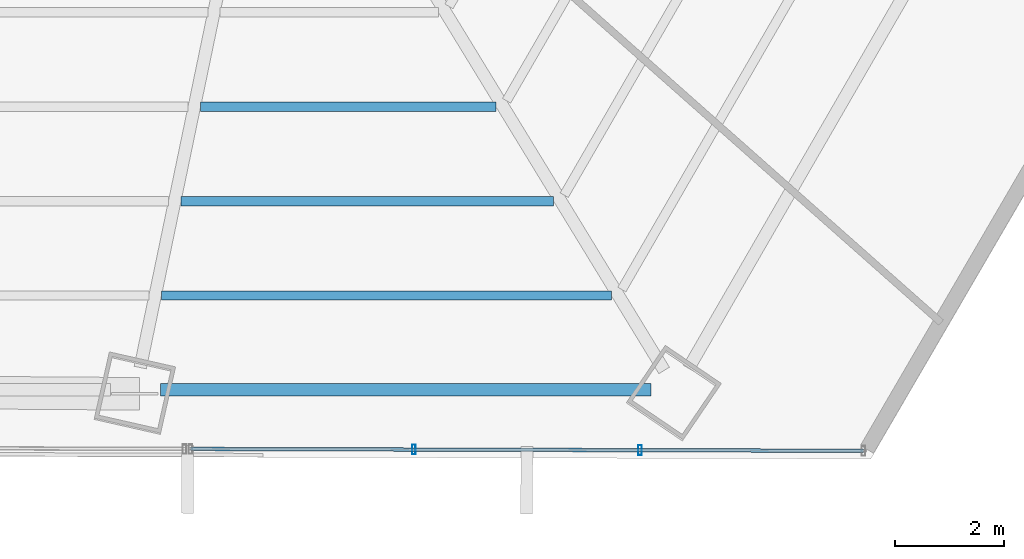
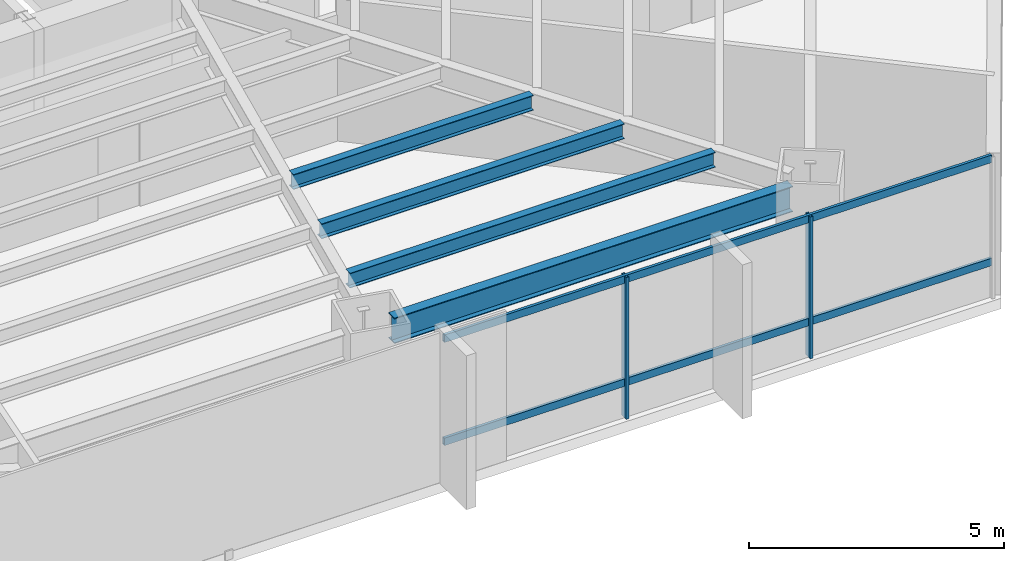
# One storey, part 16 of 37: 4 beams, 4 members, 1 element without a shape of its own.
"""IFC4 building model written with IfcOpenShell, lengths in metres."""

from ifc_helpers import new_model, si_unit, direction, frame, origin, origin_2d, place, context, subcontext, project, spatial, hollow_rectangle, i_section, extrude, source, transform, mapped, material, material_profile, profile_set, type_object, type_shapes, element, aggregate, save


model = new_model("IFC4")

# Units and contexts
model_context = context("Model", 3, precision=1e-05, world=origin(), true_north=direction((0.0, 1.0)))
body_context = subcontext(model_context, "Body", "Model", "MODEL_VIEW")
ifc_project = project(units=[si_unit("LENGTHUNIT", "METRE"), si_unit("AREAUNIT", "SQUARE_METRE"), si_unit("VOLUMEUNIT", "CUBIC_METRE"), si_unit("PLANEANGLEUNIT", "RADIAN"), si_unit("MASSUNIT", "GRAM", prefix="KILO")], contexts=[model_context])

# Site, building, storey
site_placement = place(None, origin())
site = spatial("IfcSite", under=ifc_project, at=site_placement, CompositionType="ELEMENT")
building_placement = place(site_placement, origin())
building = spatial("IfcBuilding", under=site, at=building_placement, Name="Caelisora Broadcast Tower", CompositionType="ELEMENT")
storey_placement = place(building_placement, frame((0.0, 0.0, 45.85009765625)))
storey = spatial("IfcBuildingStorey", under=building, at=storey_placement, Name="L11", CompositionType="ELEMENT", Elevation=45.85009765625)

# Beams
ifc_material_1 = material(Name="Steel Grade 350 (AS/NZS 3679.1)", Category="steel")
ifc_material_profile_1 = material_profile(ifc_material_1, i_section(OverallWidth=0.22900390625, OverallDepth=0.611572265625, WebThickness=0.011962890625, FlangeThickness=0.01953125, at=origin_2d()), Name="Steel Grade 350 (AS/NZS 3679.1)")
ifc_profile_set_1 = profile_set([ifc_material_profile_1], Name="Steel Grade 350 (AS/NZS 3679.1)")
beam_type_1 = type_object("IfcBeamType", Name="PG03", PredefinedType="BEAM", material=ifc_profile_set_1)
shared_shape_1 = source(origin(), body_context, "Body", "SweptSolid", [
    extrude(i_section(OverallWidth=0.22900390625, OverallDepth=0.611572265625, WebThickness=0.011962890625, FlangeThickness=0.01953125, at=origin_2d()), origin(), (0.0, 0.0, 1.0), 9.031494140625),
])
type_shapes(beam_type_1, [shared_shape_1])
beam_1_placement = place(storey_placement, frame((43.435791015625, 5.23388671875, 3.093994140625), z_axis=(1.0, 0.0, 0.0), x_axis=(0.0, 1.0, 0.0)))
element("IfcBeam", 1, at=beam_1_placement, inside=storey, type_object=beam_type_1, Name="L11 beam PG03", PredefinedType="BEAM", context=body_context, shape_type="MappedRepresentation", body=[
    mapped(shared_shape_1, transform((0.0, 0.0, 0.0), scale=1.0)),
])
ifc_material_profile_2 = material_profile(ifc_material_1, i_section(OverallWidth=0.172119140625, OverallDepth=0.358642578125, WebThickness=0.008056640625, FlangeThickness=0.012939453125, at=origin_2d()), Name="Steel Grade 350 (AS/NZS 3679.1)")
ifc_profile_set_2 = profile_set([ifc_material_profile_2], Name="Steel Grade 350 (AS/NZS 3679.1)")
beam_type_2 = type_object("IfcBeamType", Name="SB02", PredefinedType="JOIST", material=ifc_profile_set_2)
shared_shape_2 = source(origin(), body_context, "Body", "SweptSolid", [
    extrude(i_section(OverallWidth=0.172119140625, OverallDepth=0.358642578125, WebThickness=0.008056640625, FlangeThickness=0.012939453125, at=origin_2d()), origin(), (0.0, 0.0, 1.0), 5.442626953125),
])
beam_2_placement = place(storey_placement, frame((44.1708984375, 10.447998046875, 3.220703125), z_axis=(1.0, 0.0, 0.0), x_axis=(0.0, 1.0, 0.0)))
element("IfcBeam", 2, at=beam_2_placement, inside=storey, type_object=beam_type_2, Name="L11 beam SB02", PredefinedType="JOIST", context=body_context, shape_type="MappedRepresentation", body=[
    mapped(shared_shape_2, transform((0.0, 0.0, 0.0), scale=1.0)),
])
shared_shape_3 = source(origin(), body_context, "Body", "SweptSolid", [
    extrude(i_section(OverallWidth=0.172119140625, OverallDepth=0.358642578125, WebThickness=0.008056640625, FlangeThickness=0.012939453125, at=origin_2d()), origin(), (0.0, 0.0, 1.0), 6.8642578125),
])
beam_3_placement = place(storey_placement, frame((43.810302734375, 8.7099609375, 3.220703125), z_axis=(1.0, 0.0, 0.0), x_axis=(0.0, 1.0, 0.0)))
element("IfcBeam", 3, at=beam_3_placement, inside=storey, type_object=beam_type_2, Name="L11 beam SB02", PredefinedType="JOIST", context=body_context, shape_type="MappedRepresentation", body=[
    mapped(shared_shape_3, transform((0.0, 0.0, 0.0), scale=1.0)),
])
shared_shape_4 = source(origin(), body_context, "Body", "SweptSolid", [
    extrude(i_section(OverallWidth=0.172119140625, OverallDepth=0.358642578125, WebThickness=0.008056640625, FlangeThickness=0.012939453125, at=origin_2d()), origin(), (0.0, 0.0, 1.0), 8.285888671875),
])
type_shapes(beam_type_2, [shared_shape_2, shared_shape_3, shared_shape_4])
beam_4_placement = place(storey_placement, frame((43.44970703125, 6.9716796875, 3.220703125), z_axis=(1.0, 0.0, 0.0), x_axis=(0.0, 1.0, 0.0)))
element("IfcBeam", 4, at=beam_4_placement, inside=storey, type_object=beam_type_2, Name="L11 beam SB02", PredefinedType="JOIST", context=body_context, shape_type="MappedRepresentation", body=[
    mapped(shared_shape_4, transform((0.0, 0.0, 0.0), scale=1.0)),
])

# Curtain wall, members
ifc_material_2 = material(Name="Unitised Aluminium and Low-E Glass Curtain Wall", Category="glass")
curtain_wall_type = type_object("IfcCurtainWallType", Name="CW-Z1", PredefinedType="NOTDEFINED", material=ifc_material_2)
curtain_wall_placement = place(storey_placement, origin())
curtain_wall = element("IfcCurtainWall", 5, at=curtain_wall_placement, inside=storey, type_object=curtain_wall_type, Name="L11 curtain wall CW-Z1", PredefinedType="NOTDEFINED")
ifc_material_3 = material(Name="Aluminium 6063-T6 Anodised Terracotta Bronze", Category="aluminium")
ifc_material_profile_3 = material_profile(ifc_material_3, hollow_rectangle(XDim=0.06494140625, YDim=0.179931640625, WallThickness=0.00341796875, at=origin_2d()), Name="Aluminium 6063-T6 Anodised Terracotta Bronze")
ifc_profile_set_3 = profile_set([ifc_material_profile_3], Name="Aluminium 6063-T6 Anodised Terracotta Bronze")
member_type_1 = type_object("IfcMemberType", Name="CWM-02", PredefinedType="MULLION", material=ifc_profile_set_3)
shared_shape_5 = source(origin(), body_context, "Body", "SweptSolid", [
    extrude(hollow_rectangle(XDim=0.06494140625, YDim=0.179931640625, WallThickness=0.00341796875, at=origin_2d()), origin(), (0.0, 0.0, 1.0), 3.39990234375),
])
type_shapes(member_type_1, [shared_shape_5])
member_1_placement = place(storey_placement, frame((52.26416015625, 4.12353515625, 0.0), z_axis=(0.0, 0.0, 1.0), x_axis=(1.0, 0.0, 0.0)))
member_1 = element("IfcMember", 6, at=member_1_placement, type_object=member_type_1, Name="L11-CW-B05 mullion #1", PredefinedType="MULLION", context=body_context, shape_type="MappedRepresentation", body=[
    mapped(shared_shape_5, transform((0.0, 0.0, 0.0), scale=1.0)),
])
member_2_placement = place(storey_placement, frame((48.100341796875, 4.13525390625, 0.0), z_axis=(0.0, 0.0, 1.0), x_axis=(1.0, 0.0, 0.0)))
member_2 = element("IfcMember", 7, at=member_2_placement, type_object=member_type_1, Name="L11-CW-B05 mullion #2", PredefinedType="MULLION", context=body_context, shape_type="MappedRepresentation", body=[
    mapped(shared_shape_5, transform((0.0, 0.0, 0.0), scale=1.0)),
])
ifc_material_profile_4 = material_profile(ifc_material_3, hollow_rectangle(XDim=0.06494140625, YDim=0.179931640625, WallThickness=0.00341796875, at=origin_2d()), Name="Aluminium 6063-T6 Anodised Terracotta Bronze")
ifc_profile_set_4 = profile_set([ifc_material_profile_4], Name="Aluminium 6063-T6 Anodised Terracotta Bronze")
member_type_2 = type_object("IfcMemberType", Name="CWT-01", PredefinedType="USERDEFINED", material=ifc_profile_set_4)
shared_shape_6 = source(origin(), body_context, "Body", "SweptSolid", [
    extrude(hollow_rectangle(XDim=0.06494140625, YDim=0.179931640625, WallThickness=0.00341796875, at=origin_2d()), origin(), (0.0, 0.0, 1.0), 12.391357421875),
])
type_shapes(member_type_2, [shared_shape_6])
member_3_placement = place(storey_placement, frame((56.3779296875, 4.112060546875, 0.849853515625), z_axis=(-0.999996086309, 0.002797742966, 0.0), x_axis=(-0.002797742966, -0.999996086309, 0.0)))
member_3 = element("IfcMember", 8, at=member_3_placement, type_object=member_type_2, Name="L11-CW-B05 transom #1", ObjectType="TRANSOM", PredefinedType="USERDEFINED", context=body_context, shape_type="MappedRepresentation", body=[
    mapped(shared_shape_6, transform((0.0, 0.0, 0.0), scale=1.0)),
])
member_4_placement = place(storey_placement, frame((56.3779296875, 4.112060546875, 3.31982421875), z_axis=(-0.999996086309, 0.002797742966, 0.0), x_axis=(-0.002797742966, -0.999996086309, 0.0)))
member_4 = element("IfcMember", 9, at=member_4_placement, type_object=member_type_2, Name="L11-CW-B05 transom #2", ObjectType="TRANSOM", PredefinedType="USERDEFINED", context=body_context, shape_type="MappedRepresentation", body=[
    mapped(shared_shape_6, transform((0.0, 0.0, 0.0), scale=1.0)),
])
aggregate(curtain_wall, [member_1, member_2, member_3, member_4])

save(model, "model.ifc")
